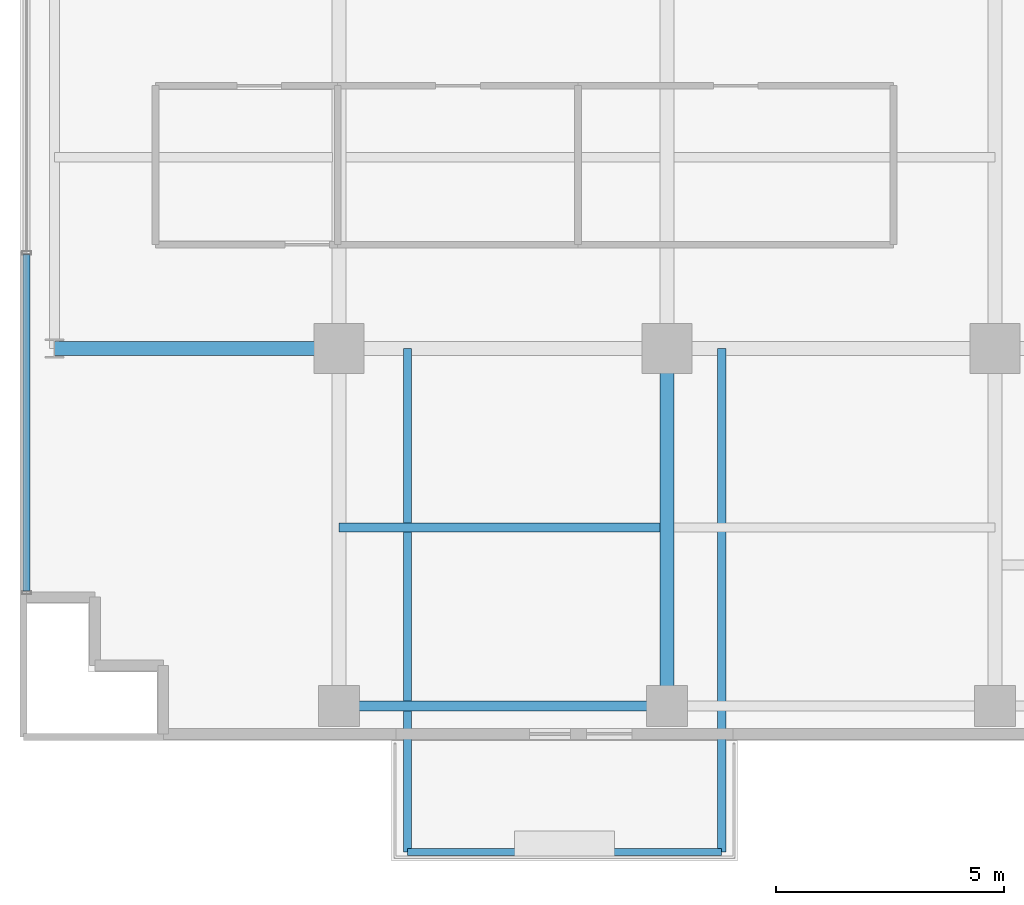
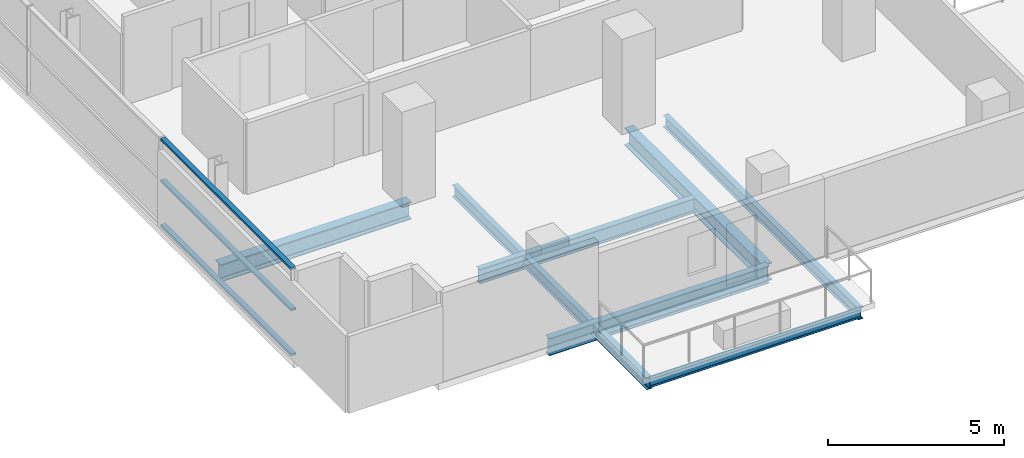
# One storey, part 3 of 26: 7 beams, 3 members, 1 element without a shape of its own.
"""IFC4 building model written with IfcOpenShell, lengths in metres."""

from ifc_helpers import new_model, si_unit, direction, frame, origin, origin_2d, place, context, subcontext, project, spatial, hollow_rectangle, i_section, extrude, source, transform, mapped, material, layer, layer_set, material_profile, profile_set, type_object, element, aggregate, save


model = new_model("IFC4")

# Units and contexts
model_context = context("Model", 3, precision=1e-05, world=origin(), true_north=direction((0.0, 1.0)))
body_context = subcontext(model_context, "Body", "Model", "MODEL_VIEW")
ifc_project = project(units=[si_unit("LENGTHUNIT", "METRE"), si_unit("AREAUNIT", "SQUARE_METRE"), si_unit("VOLUMEUNIT", "CUBIC_METRE"), si_unit("PLANEANGLEUNIT", "RADIAN"), si_unit("MASSUNIT", "GRAM", prefix="KILO")], contexts=[model_context])

# Site, building, storey
site_placement = place(None, origin())
site = spatial("IfcSite", under=ifc_project, at=site_placement, CompositionType="ELEMENT")
building_placement = place(site_placement, origin())
building = spatial("IfcBuilding", under=site, at=building_placement, Name="Zarnakvel Exchange Tower", CompositionType="ELEMENT")
storey_placement = place(building_placement, frame((0.0, 0.0, 70.300048828125)))
storey = spatial("IfcBuildingStorey", under=building, at=storey_placement, Name="L19", CompositionType="ELEMENT", Elevation=70.300048828125)

# Beams
ifc_material_1 = material(Name="Steel S355", Category="steel")
ifc_material_profile_1 = material_profile(ifc_material_1, i_section(OverallWidth=0.199951171875, OverallDepth=0.5, WebThickness=0.01025390625, FlangeThickness=0.01611328125, FilletRadius=0.02099609375, at=origin_2d()))
ifc_profile_set_1 = profile_set([ifc_material_profile_1], Name="Steel S355")
beam_type_1 = type_object("IfcBeamType", Name="B-04", PredefinedType="JOIST", material=ifc_profile_set_1)
beam_1_placement = place(storey_placement, frame((-21.60009765625, -13.52490234375, -0.47509765625), z_axis=(1.0, 0.0, 0.0), x_axis=(0.0, 1.0, 0.0)))
element("IfcBeam", 1, at=beam_1_placement, inside=storey, type_object=beam_type_1, Name="L19 Composite Floor Secondary Joist", PredefinedType="JOIST", context=body_context, shape_type="SweptSolid", body=[
    extrude(i_section(OverallWidth=0.199951171875, OverallDepth=0.5, WebThickness=0.01025390625, FlangeThickness=0.01611328125, FilletRadius=0.02099609375, at=origin_2d()), origin(), (0.0, 0.0, 1.0), 7.050048828125),
])
ifc_material_profile_2 = material_profile(ifc_material_1, i_section(OverallWidth=0.179931640625, OverallDepth=0.39990234375, WebThickness=0.008544921875, FlangeThickness=0.013427734375, FilletRadius=0.02099609375, at=origin_2d()))
ifc_profile_set_2 = profile_set([ifc_material_profile_2], Name="Steel S355")
beam_type_2 = type_object("IfcBeamType", Name="B-06", PredefinedType="JOIST", material=ifc_profile_set_2)
for number, where, z_axis, x_axis, name in (
    (2, (-20.10009765625, -9.60009765625, -0.425048828125), (0.0, -1.0, 0.0), (1.0, 0.0, 0.0), "L19 Continuous Back-Spanned Balcony Beam W"),
    (3, (-13.199951171875, -9.60009765625, -0.425048828125), (0.0, -1.0, 0.0), (1.0, 0.0, 0.0), "L19 Continuous Back-Spanned Balcony Beam E"),
):
    element("IfcBeam", number, at=place(storey_placement, frame(where, z_axis=z_axis, x_axis=x_axis)), inside=storey, type_object=beam_type_2, Name=name, PredefinedType="JOIST", context=body_context, shape_type="SweptSolid", body=[
        extrude(i_section(OverallWidth=0.179931640625, OverallDepth=0.39990234375, WebThickness=0.008544921875, FlangeThickness=0.013427734375, FilletRadius=0.02099609375, at=origin_2d()), origin(), (0.0, 0.0, 1.0), 11.0498046875),
    ])
ifc_material_profile_3 = material_profile(ifc_material_1, i_section(OverallWidth=0.14990234375, OverallDepth=0.300048828125, WebThickness=0.007080078125, FlangeThickness=0.0107421875, FilletRadius=0.014892578125, at=origin_2d()))
ifc_profile_set_3 = profile_set([ifc_material_profile_3], Name="Steel S355")
beam_type_3 = type_object("IfcBeamType", Name="B-08", PredefinedType="JOIST", material=ifc_profile_set_3)
beam_2_placement = place(storey_placement, frame((-20.10009765625, -20.64990234375, -0.375), z_axis=(1.0, 0.0, 0.0), x_axis=(0.0, 1.0, 0.0)))
element("IfcBeam", 4, at=beam_2_placement, inside=storey, type_object=beam_type_3, Name="L19 Balcony Edge Beam", PredefinedType="JOIST", context=body_context, shape_type="SweptSolid", body=[
    extrude(i_section(OverallWidth=0.14990234375, OverallDepth=0.300048828125, WebThickness=0.007080078125, FlangeThickness=0.0107421875, FilletRadius=0.014892578125, at=origin_2d()), origin(), (0.0, 0.0, 1.0), 6.900146484375),
])
ifc_material_profile_4 = material_profile(ifc_material_1, i_section(OverallWidth=0.300048828125, OverallDepth=0.60009765625, WebThickness=0.015380859375, FlangeThickness=0.030029296875, FilletRadius=0.027099609375, at=origin_2d()))
ifc_profile_set_4 = profile_set([ifc_material_profile_4], Name="Steel S355")
beam_type_4 = type_object("IfcBeamType", Name="G-04", PredefinedType="BEAM", material=ifc_profile_set_4)
beam_3_placement = place(storey_placement, frame((-27.85009765625, -9.60009765625, -0.525146484375), z_axis=(1.0, 0.0, 0.0), x_axis=(0.0, 1.0, 0.0)))
element("IfcBeam", 5, at=beam_3_placement, inside=storey, type_object=beam_type_4, Name="L19 Tower E-W Frame Beam", PredefinedType="BEAM", context=body_context, shape_type="SweptSolid", body=[
    extrude(i_section(OverallWidth=0.300048828125, OverallDepth=0.60009765625, WebThickness=0.015380859375, FlangeThickness=0.030029296875, FilletRadius=0.027099609375, at=origin_2d()), origin(), (0.0, 0.0, 1.0), 6.25),
])
beam_4_placement = place(storey_placement, frame((-14.39990234375, -17.449951171875, -0.525146484375), z_axis=(0.0, 1.0, 0.0), x_axis=(-1.0, 0.0, 0.0)))
element("IfcBeam", 6, at=beam_4_placement, inside=storey, type_object=beam_type_4, Name="L19 Tower N-S Frame Beam", PredefinedType="BEAM", context=body_context, shape_type="SweptSolid", body=[
    extrude(i_section(OverallWidth=0.300048828125, OverallDepth=0.60009765625, WebThickness=0.015380859375, FlangeThickness=0.030029296875, FilletRadius=0.027099609375, at=origin_2d()), origin(), (0.0, 0.0, 1.0), 7.849853515625),
])
ifc_material_profile_5 = material_profile(ifc_material_1, i_section(OverallWidth=0.219970703125, OverallDepth=0.60009765625, WebThickness=0.011962890625, FlangeThickness=0.01904296875, FilletRadius=0.02392578125, at=origin_2d()))
ifc_profile_set_5 = profile_set([ifc_material_profile_5], Name="Steel S355")
beam_type_5 = type_object("IfcBeamType", Name="SP-01", PredefinedType="SPANDREL", material=ifc_profile_set_5)
beam_5_placement = place(storey_placement, frame((-21.60009765625, -17.449951171875, -0.525146484375), z_axis=(1.0, 0.0, 0.0), x_axis=(0.0, 1.0, 0.0)))
element("IfcBeam", 7, at=beam_5_placement, inside=storey, type_object=beam_type_5, Name="L19 Tower E-W Frame Beam", PredefinedType="SPANDREL", context=body_context, shape_type="SweptSolid", body=[
    extrude(i_section(OverallWidth=0.219970703125, OverallDepth=0.60009765625, WebThickness=0.011962890625, FlangeThickness=0.01904296875, FilletRadius=0.02392578125, at=origin_2d()), origin(), (0.0, 0.0, 1.0), 7.2001953125),
])

# Curtain wall, members
ifc_material_2 = material(Name="Architectural Bronze Anodised Aluminium", Category="aluminium")
ifc_layer = layer(ifc_material_2, 0.199951171875)
ifc_layer_set = layer_set([ifc_layer], Name="Architectural Bronze Anodised Aluminium")
curtain_wall_type = type_object("IfcCurtainWallType", Name="CW-04", PredefinedType="NOTDEFINED", material=ifc_layer_set)
curtain_wall_placement = place(storey_placement, origin())
curtain_wall = element("IfcCurtainWall", 8, at=curtain_wall_placement, inside=storey, type_object=curtain_wall_type, Name="L19 Curtain Wall CW-L19-W1 (CW-04)", PredefinedType="NOTDEFINED")
ifc_material_profile_6 = material_profile(ifc_material_2, hollow_rectangle(XDim=0.159912109375, YDim=0.074951171875, WallThickness=0.00390625, at=origin_2d()))
ifc_profile_set_6 = profile_set([ifc_material_profile_6], Name="Architectural Bronze Anodised Aluminium")
member_type = type_object("IfcMemberType", Name="CWT-04", PredefinedType="USERDEFINED", material=ifc_profile_set_6)
shared_shape = source(origin(), body_context, "Body", "SweptSolid", [
    extrude(hollow_rectangle(XDim=0.159912109375, YDim=0.074951171875, WallThickness=0.00390625, at=origin_2d()), origin(), (0.0, 0.0, 1.0), 7.387451171875),
])
member_1_placement = place(storey_placement, frame((-28.4599609375, -14.925048828125, 0.037353515625), z_axis=(0.0, 1.0, 0.0), x_axis=(-1.0, 0.0, 0.0)))
member_1 = element("IfcMember", 9, at=member_1_placement, type_object=member_type, Name="CW-04 transom 1.1", ObjectType="TRANSOM", PredefinedType="USERDEFINED", context=body_context, shape_type="MappedRepresentation", body=[
    mapped(shared_shape, transform((0.0, 0.0, 0.0), x_axis=(1.0, 0.0, 0.0), y_axis=(0.0, 1.0, 0.0), z_axis=(0.0, 0.0, 1.0), scale=1.0)),
])
member_2_placement = place(storey_placement, frame((-28.4599609375, -14.925048828125, 1.588623046875), z_axis=(0.0, 1.0, 0.0), x_axis=(-1.0, 0.0, 0.0)))
member_2 = element("IfcMember", 10, at=member_2_placement, type_object=member_type, Name="CW-04 transom 1.2", ObjectType="TRANSOM", PredefinedType="USERDEFINED", context=body_context, shape_type="MappedRepresentation", body=[
    mapped(shared_shape, transform((0.0, 0.0, 0.0), x_axis=(1.0, 0.0, 0.0), y_axis=(0.0, 1.0, 0.0), z_axis=(0.0, 0.0, 1.0), scale=1.0)),
])
member_3_placement = place(storey_placement, frame((-28.4599609375, -14.925048828125, 3.017333984375), z_axis=(0.0, 1.0, 0.0), x_axis=(-1.0, 0.0, 0.0)))
member_3 = element("IfcMember", 11, at=member_3_placement, type_object=member_type, Name="CW-04 transom 1.3", ObjectType="TRANSOM", PredefinedType="USERDEFINED", context=body_context, shape_type="MappedRepresentation", body=[
    mapped(shared_shape, transform((0.0, 0.0, 0.0), x_axis=(1.0, 0.0, 0.0), y_axis=(0.0, 1.0, 0.0), z_axis=(0.0, 0.0, 1.0), scale=1.0)),
])
aggregate(curtain_wall, [member_1, member_2, member_3])

save(model, "model.ifc")
